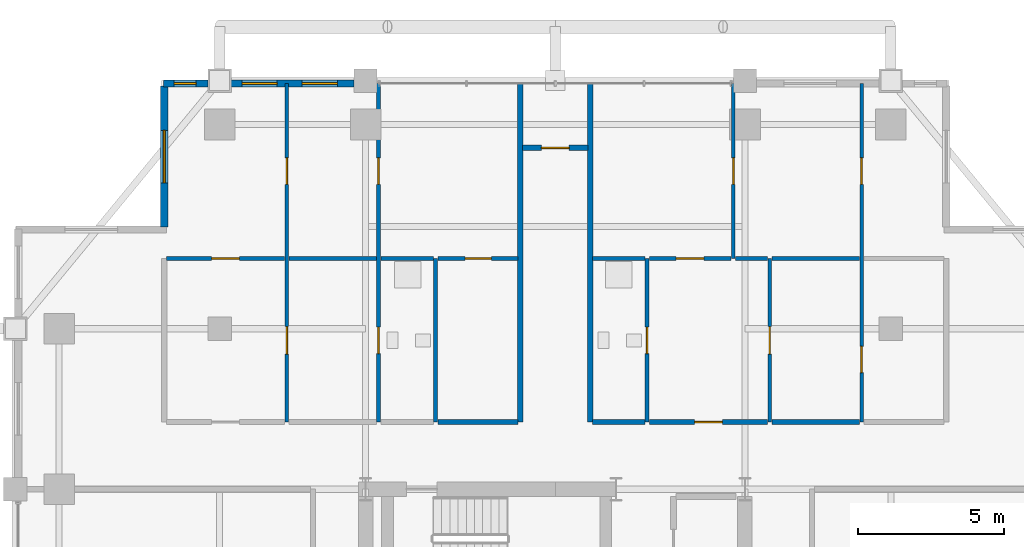
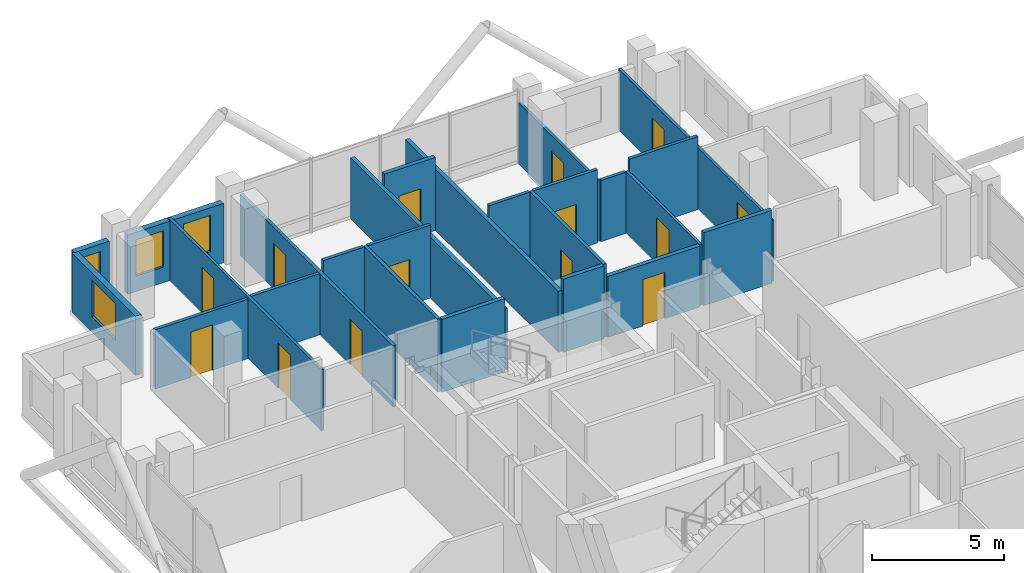
# One storey, part 23 of 26: 25 walls, 14 doors, 4 windows, 18 openings.
"""IFC4 building model written with IfcOpenShell, lengths in metres."""

from ifc_helpers import new_model, si_unit, direction, frame, frame_2d, origin, place, context, subcontext, project, spatial, rectangle, extrude, material, layer, layer_set, type_object, element, fill, save


model = new_model("IFC4")

# Units and contexts
model_context = context("Model", 3, precision=1e-05, world=origin(), true_north=direction((0.0, 1.0)))
body_context = subcontext(model_context, "Body", "Model", "MODEL_VIEW")
ifc_project = project(units=[si_unit("LENGTHUNIT", "METRE"), si_unit("AREAUNIT", "SQUARE_METRE"), si_unit("VOLUMEUNIT", "CUBIC_METRE"), si_unit("PLANEANGLEUNIT", "RADIAN"), si_unit("MASSUNIT", "GRAM", prefix="KILO")], contexts=[model_context])

# Site, building, storey
site_placement = place(None, origin())
site = spatial("IfcSite", under=ifc_project, at=site_placement, CompositionType="ELEMENT")
building_placement = place(site_placement, origin())
building = spatial("IfcBuilding", under=site, at=building_placement, Name="Barlavira Tower and Art Museum", CompositionType="ELEMENT")
storey_placement = place(building_placement, frame((0.0, 0.0, 198.0)))
storey = spatial("IfcBuildingStorey", under=building, at=storey_placement, Name="L51", CompositionType="ELEMENT", Elevation=198.0)

# Wall, openings, doors
ifc_material_1 = material(Name="Gypsum acoustic stud partition", Category="gypsum")
ifc_layer_1 = layer(ifc_material_1, 0.1201171875, Name="Gypsum acoustic stud partition")
ifc_layer_set_1 = layer_set([ifc_layer_1], Name="Gypsum acoustic stud partition")
wall_type_1 = type_object("IfcWallType", Name="Apartment Internal Acoustic Partition 120", PredefinedType="PARTITIONING", material=ifc_layer_set_1)
wall_1_placement = place(storey_placement, frame((-9.199951171875, 9.800048828125, 0.0), z_axis=(0.0, 0.0, 1.0), x_axis=(0.0, 1.0, 0.0)))
wall_1 = element("IfcWall", 1, at=wall_1_placement, inside=storey, type_object=wall_type_1, Name="L51 Partition Wall 4", PredefinedType="PARTITIONING", context=body_context, shape_type="SweptSolid", body=[
    extrude(rectangle(XDim=11.599853515625, YDim=0.1201171875, at=frame_2d((5.7998046875, 0.0))), origin(), (0.0, 0.0, 1.0), 2.825927734375),
])
opening_1_placement = place(wall_1_placement, frame((2.324951171875, 0.0, 0.0)))
opening_1 = element("IfcOpeningElement", 2, at=opening_1_placement, cuts=wall_1, Name="Opening D-02", PredefinedType="OPENING", context=body_context, shape_type="SweptSolid", body=[
    extrude(rectangle(XDim=0.949951171875, YDim=2.10009765625, at=frame_2d((0.47509765625, 1.050048828125))), frame((0.0, 0.070068359375, 0.0), z_axis=(0.0, -1.0, 0.0), x_axis=(1.0, 0.0, 0.0)), (0.0, 0.0, 1.0), 0.14013671875),
])
opening_2_placement = place(wall_1_placement, frame((8.14990234375, 0.0, 0.0)))
opening_2 = element("IfcOpeningElement", 3, at=opening_2_placement, cuts=wall_1, Name="Opening D-01", PredefinedType="OPENING", context=body_context, shape_type="SweptSolid", body=[
    extrude(rectangle(XDim=0.89990234375, YDim=2.10009765625, at=frame_2d((0.449951171875, 1.050048828125))), frame((0.0, 0.070068359375, 0.0), z_axis=(0.0, -1.0, 0.0), x_axis=(1.0, 0.0, 0.0)), (0.0, 0.0, 1.0), 0.14013671875),
])
ifc_material_2 = material(Name="Engineered coastal hardwood", Category="wood")
door_type_1 = type_object("IfcDoorType", Name="Internal Bedroom Timber Flush Door 900x2100", OperationType="NOTDEFINED", PredefinedType="DOOR", material=ifc_material_2)
door_1_placement = place(opening_2_placement, origin())
door_1 = element("IfcDoor", 4, at=door_1_placement, inside=storey, type_object=door_type_1, Name="Apartment NW1 Bedroom 1 Door", OperationType="SINGLE_SWING_LEFT", OverallHeight=2.10009765625, OverallWidth=0.89990234375, PredefinedType="DOOR", context=body_context, shape_type="SweptSolid", body=[
    extrude(rectangle(XDim=0.89990234375, YDim=2.10009765625, at=frame_2d((0.449951171875, 1.050048828125))), frame((0.0, 0.02490234375, 0.0), z_axis=(0.0, -1.0, 0.0), x_axis=(1.0, 0.0, 0.0)), (0.0, 0.0, 1.0), 0.050048828125),
])
fill(opening_2, door_1)
door_type_2 = type_object("IfcDoorType", Name="Living and Salon Glazed-Leaf Door 950x2100", OperationType="NOTDEFINED", PredefinedType="DOOR", material=ifc_material_2)
door_2_placement = place(opening_1_placement, origin())
door_2 = element("IfcDoor", 5, at=door_2_placement, inside=storey, type_object=door_type_2, Name="Apartment NW1 Kitchen Door", OperationType="SINGLE_SWING_LEFT", OverallHeight=2.10009765625, OverallWidth=0.949951171875, PredefinedType="DOOR", context=body_context, shape_type="SweptSolid", body=[
    extrude(rectangle(XDim=0.949951171875, YDim=2.10009765625, at=frame_2d((0.47509765625, 1.050048828125))), frame((0.0, 0.02490234375, 0.0), z_axis=(0.0, -1.0, 0.0), x_axis=(1.0, 0.0, 0.0)), (0.0, 0.0, 1.0), 0.050048828125),
])
fill(opening_1, door_2)

# Wall, opening, door
wall_2_placement = place(storey_placement, frame((6.10009765625, 15.39990234375, 0.0), z_axis=(0.0, 0.0, 1.0), x_axis=(0.0, 1.0, 0.0)))
wall_2 = element("IfcWall", 6, at=wall_2_placement, inside=storey, type_object=wall_type_1, Name="L51 Partition Wall 20", PredefinedType="PARTITIONING", context=body_context, shape_type="SweptSolid", body=[
    extrude(rectangle(XDim=6.0, YDim=0.1201171875, at=frame_2d((3.0, 0.0))), origin(), (0.0, 0.0, 1.0), 2.825927734375),
])
opening_3_placement = place(wall_2_placement, frame((2.550048828125, 0.0, 0.0)))
opening_3 = element("IfcOpeningElement", 7, at=opening_3_placement, cuts=wall_2, Name="Opening D-01", PredefinedType="OPENING", context=body_context, shape_type="SweptSolid", body=[
    extrude(rectangle(XDim=0.89990234375, YDim=2.10009765625, at=frame_2d((0.449951171875, 1.050048828125))), frame((0.0, 0.070068359375, 0.0), z_axis=(0.0, -1.0, 0.0), x_axis=(1.0, 0.0, 0.0)), (0.0, 0.0, 1.0), 0.14013671875),
])
door_3_placement = place(opening_3_placement, origin())
door_3 = element("IfcDoor", 8, at=door_3_placement, inside=storey, type_object=door_type_1, Name="Apartment NE1 Bedroom 1 Door", OperationType="SINGLE_SWING_RIGHT", OverallHeight=2.10009765625, OverallWidth=0.89990234375, PredefinedType="DOOR", context=body_context, shape_type="SweptSolid", body=[
    extrude(rectangle(XDim=0.89990234375, YDim=2.10009765625, at=frame_2d((0.449951171875, 1.050048828125))), frame((0.0, 0.02490234375, 0.0), z_axis=(0.0, -1.0, 0.0), x_axis=(1.0, 0.0, 0.0)), (0.0, 0.0, 1.0), 0.050048828125),
])
fill(opening_3, door_3)

wall_3_placement = place(storey_placement, frame((7.35009765625, 9.800048828125, 0.0), z_axis=(0.0, 0.0, 1.0), x_axis=(0.0, 1.0, 0.0)))
wall_3 = element("IfcWall", 9, at=wall_3_placement, inside=storey, type_object=wall_type_1, Name="L51 Partition Wall 22", PredefinedType="PARTITIONING", context=body_context, shape_type="SweptSolid", body=[
    extrude(rectangle(XDim=5.599853515625, YDim=0.1201171875, at=frame_2d((2.7998046875, 0.0))), origin(), (0.0, 0.0, 1.0), 2.825927734375),
])
opening_4_placement = place(wall_3_placement, frame((2.324951171875, 0.0, 0.0)))
opening_4 = element("IfcOpeningElement", 10, at=opening_4_placement, cuts=wall_3, Name="Opening D-02", PredefinedType="OPENING", context=body_context, shape_type="SweptSolid", body=[
    extrude(rectangle(XDim=0.949951171875, YDim=2.10009765625, at=frame_2d((0.47509765625, 1.050048828125))), frame((0.0, 0.070068359375, 0.0), z_axis=(0.0, -1.0, 0.0), x_axis=(1.0, 0.0, 0.0)), (0.0, 0.0, 1.0), 0.14013671875),
])
door_4_placement = place(opening_4_placement, origin())
door_4 = element("IfcDoor", 11, at=door_4_placement, inside=storey, type_object=door_type_2, Name="Apartment NE1 Kitchen Door", OperationType="SINGLE_SWING_LEFT", OverallHeight=2.10009765625, OverallWidth=0.949951171875, PredefinedType="DOOR", context=body_context, shape_type="SweptSolid", body=[
    extrude(rectangle(XDim=0.949951171875, YDim=2.10009765625, at=frame_2d((0.47509765625, 1.050048828125))), frame((0.0, 0.02490234375, 0.0), z_axis=(0.0, -1.0, 0.0), x_axis=(1.0, 0.0, 0.0)), (0.0, 0.0, 1.0), 0.050048828125),
])
fill(opening_4, door_4)

# Wall, openings, doors
wall_4_placement = place(storey_placement, frame((10.5, 9.800048828125, 0.0), z_axis=(0.0, 0.0, 1.0), x_axis=(0.0, 1.0, 0.0)))
wall_4 = element("IfcWall", 12, at=wall_4_placement, inside=storey, type_object=wall_type_1, Name="L51 Partition Wall 25", PredefinedType="PARTITIONING", context=body_context, shape_type="SweptSolid", body=[
    extrude(rectangle(XDim=11.599853515625, YDim=0.1201171875, at=frame_2d((5.7998046875, 0.0))), origin(), (0.0, 0.0, 1.0), 2.825927734375),
])
opening_5_placement = place(wall_4_placement, frame((1.694091796875, 0.0, 0.0)))
opening_5 = element("IfcOpeningElement", 13, at=opening_5_placement, cuts=wall_4, Name="Opening D-01", PredefinedType="OPENING", context=body_context, shape_type="SweptSolid", body=[
    extrude(rectangle(XDim=0.89990234375, YDim=2.10009765625, at=frame_2d((0.449951171875, 1.050048828125))), frame((0.0, 0.070068359375, 0.0), z_axis=(0.0, -1.0, 0.0), x_axis=(1.0, 0.0, 0.0)), (0.0, 0.0, 1.0), 0.14013671875),
])
opening_6_placement = place(wall_4_placement, frame((8.14990234375, 0.0, 0.0)))
opening_6 = element("IfcOpeningElement", 14, at=opening_6_placement, cuts=wall_4, Name="Opening D-01", PredefinedType="OPENING", context=body_context, shape_type="SweptSolid", body=[
    extrude(rectangle(XDim=0.89990234375, YDim=2.10009765625, at=frame_2d((0.449951171875, 1.050048828125))), frame((0.0, 0.070068359375, 0.0), z_axis=(0.0, -1.0, 0.0), x_axis=(1.0, 0.0, 0.0)), (0.0, 0.0, 1.0), 0.14013671875),
])
door_5_placement = place(opening_5_placement, origin())
door_5 = element("IfcDoor", 15, at=door_5_placement, inside=storey, type_object=door_type_1, Name="Apartment NE1 Walk-In Dressing Room Door", OperationType="SINGLE_SWING_RIGHT", OverallHeight=2.10009765625, OverallWidth=0.89990234375, PredefinedType="DOOR", context=body_context, shape_type="SweptSolid", body=[
    extrude(rectangle(XDim=0.89990234375, YDim=2.10009765625, at=frame_2d((0.449951171875, 1.050048828125))), frame((0.0, 0.02490234375, 0.0), z_axis=(0.0, -1.0, 0.0), x_axis=(1.0, 0.0, 0.0)), (0.0, 0.0, 1.0), 0.050048828125),
])
fill(opening_5, door_5)
door_6_placement = place(opening_6_placement, origin())
door_6 = element("IfcDoor", 16, at=door_6_placement, inside=storey, type_object=door_type_1, Name="Apartment NE1 Bedroom 2 Door", OperationType="SINGLE_SWING_LEFT", OverallHeight=2.10009765625, OverallWidth=0.89990234375, PredefinedType="DOOR", context=body_context, shape_type="SweptSolid", body=[
    extrude(rectangle(XDim=0.89990234375, YDim=2.10009765625, at=frame_2d((0.449951171875, 1.050048828125))), frame((0.0, 0.02490234375, 0.0), z_axis=(0.0, -1.0, 0.0), x_axis=(1.0, 0.0, 0.0)), (0.0, 0.0, 1.0), 0.050048828125),
])
fill(opening_6, door_6)

# Walls
ifc_layer_2 = layer(ifc_material_1, 0.179931640625, Name="Gypsum acoustic stud partition")
ifc_layer_set_2 = layer_set([ifc_layer_2], Name="Gypsum acoustic stud partition")
wall_type_2 = type_object("IfcWallType", Name="Inter-Tenancy Party Partition Wall 180", PredefinedType="PARTITIONING", material=ifc_layer_set_2)
for number, where, z_axis, x_axis, name in (
    (17, (-1.199951171875, 9.800048828125, 0.0), (0.0, 0.0, 1.0), (0.0, 1.0, 0.0), "L51 Partition Wall 13"),
    (18, (1.199951171875, 9.800048828125, 0.0), (0.0, 0.0, 1.0), (0.0, 1.0, 0.0), "L51 Partition Wall 15"),
):
    element("IfcWall", number, at=place(storey_placement, frame(where, z_axis=z_axis, x_axis=x_axis)), inside=storey, type_object=wall_type_2, Name=name, PredefinedType="PARTITIONING", context=body_context, shape_type="SweptSolid", body=[
        extrude(rectangle(XDim=11.599853515625, YDim=0.179931640625, at=frame_2d((5.7998046875, 0.0))), origin(), (0.0, 0.0, 1.0), 2.825927734375),
    ])
wall_5_placement = place(storey_placement, frame((-4.02001953125, 9.800048828125, 0.0), z_axis=(0.0, 0.0, 1.0), x_axis=(1.0, 0.0, 0.0)))
element("IfcWall", 19, at=wall_5_placement, inside=storey, type_object=wall_type_2, Name="L51 Partition Wall 61", PredefinedType="PARTITIONING", context=body_context, shape_type="SweptSolid", body=[
    extrude(rectangle(XDim=2.739990234375, YDim=0.179931640625, at=frame_2d((1.3701171875, 0.0))), origin(), (0.0, 0.0, 1.0), 3.3798828125),
])
wall_6_placement = place(storey_placement, frame((1.280029296875, 9.800048828125, 0.0), z_axis=(0.0, 0.0, 1.0), x_axis=(1.0, 0.0, 0.0)))
element("IfcWall", 20, at=wall_6_placement, inside=storey, type_object=wall_type_2, Name="L51 Partition Wall 62", PredefinedType="PARTITIONING", context=body_context, shape_type="SweptSolid", body=[
    extrude(rectangle(XDim=1.7900390625, YDim=0.179931640625, at=frame_2d((0.89501953125, 0.0))), origin(), (0.0, 0.0, 1.0), 3.3798828125),
])

# Wall, opening, door
wall_7_placement = place(storey_placement, frame((3.22998046875, 9.800048828125, 0.0), z_axis=(0.0, 0.0, 1.0), x_axis=(1.0, 0.0, 0.0)))
wall_7 = element("IfcWall", 21, at=wall_7_placement, inside=storey, type_object=wall_type_2, Name="L51 Partition Wall 63", PredefinedType="PARTITIONING", context=body_context, shape_type="SweptSolid", body=[
    extrude(rectangle(XDim=4.0400390625, YDim=0.179931640625, at=frame_2d((2.02001953125, 0.0))), origin(), (0.0, 0.0, 1.0), 2.825927734375),
])
opening_7_placement = place(wall_7_placement, frame((1.544921875, 0.0, 0.0)))
opening_7 = element("IfcOpeningElement", 22, at=opening_7_placement, cuts=wall_7, Name="Opening FD-60", PredefinedType="OPENING", context=body_context, shape_type="SweptSolid", body=[
    extrude(rectangle(XDim=0.949951171875, YDim=2.14990234375, at=frame_2d((0.47509765625, 1.074951171875))), frame((0.0, 0.10009765625, 0.0), z_axis=(0.0, -1.0, 0.0), x_axis=(1.0, 0.0, 0.0)), (0.0, 0.0, 1.0), 0.199951171875),
])
ifc_material_3 = material(Name="Brushed stainless steel", Category="steel")
door_type_3 = type_object("IfcDoorType", Name="Apartment Entrance and Riser Fire Door 950x2150 FD60S", OperationType="NOTDEFINED", PredefinedType="DOOR", material=ifc_material_3)
door_7_placement = place(opening_7_placement, origin())
door_7 = element("IfcDoor", 23, at=door_7_placement, inside=storey, type_object=door_type_3, Name="Apartment Entrance Hall NE1 Door", OperationType="SINGLE_SWING_RIGHT", OverallHeight=2.14990234375, OverallWidth=0.949951171875, PredefinedType="DOOR", context=body_context, shape_type="SweptSolid", body=[
    extrude(rectangle(XDim=0.949951171875, YDim=2.14990234375, at=frame_2d((0.47509765625, 1.074951171875))), frame((0.0, 0.02490234375, 0.0), z_axis=(0.0, -1.0, 0.0), x_axis=(1.0, 0.0, 0.0)), (0.0, 0.0, 1.0), 0.050048828125),
])
fill(opening_7, door_7)

# Wall
wall_8_placement = place(storey_placement, frame((7.429931640625, 9.800048828125, 0.0), z_axis=(0.0, 0.0, 1.0), x_axis=(1.0, 0.0, 0.0)))
element("IfcWall", 24, at=wall_8_placement, inside=storey, type_object=wall_type_2, Name="L51 Partition Wall 64", PredefinedType="PARTITIONING", context=body_context, shape_type="SweptSolid", body=[
    extrude(rectangle(XDim=2.989990234375, YDim=0.179931640625, at=frame_2d((1.4951171875, 0.0))), origin(), (0.0, 0.0, 1.0), 3.3798828125),
])

# Wall, opening, door
wall_9_placement = place(storey_placement, frame((-1.1201171875, 19.199951171875, 0.0), z_axis=(0.0, 0.0, 1.0), x_axis=(1.0, 0.0, 0.0)))
wall_9 = element("IfcWall", 25, at=wall_9_placement, inside=storey, type_object=wall_type_2, Name="L51 Partition Wall 75", PredefinedType="PARTITIONING", context=body_context, shape_type="SweptSolid", body=[
    extrude(rectangle(XDim=2.240234375, YDim=0.179931640625, at=frame_2d((1.1201171875, 0.0))), origin(), (0.0, 0.0, 1.0), 3.3798828125),
])
opening_8_placement = place(wall_9_placement, frame((0.64501953125, 0.0, 0.0)))
opening_8 = element("IfcOpeningElement", 26, at=opening_8_placement, cuts=wall_9, Name="Opening FD-60", PredefinedType="OPENING", context=body_context, shape_type="SweptSolid", body=[
    extrude(rectangle(XDim=0.949951171875, YDim=2.14990234375, at=frame_2d((0.47509765625, 1.074951171875))), frame((0.0, 0.10009765625, 0.0), z_axis=(0.0, -1.0, 0.0), x_axis=(1.0, 0.0, 0.0)), (0.0, 0.0, 1.0), 0.199951171875),
])
door_8_placement = place(opening_8_placement, origin())
door_8 = element("IfcDoor", 27, at=door_8_placement, inside=storey, type_object=door_type_3, Name="L51 North Ocean Alcove Door", OperationType="SINGLE_SWING_LEFT", OverallHeight=2.14990234375, OverallWidth=0.949951171875, PredefinedType="DOOR", context=body_context, shape_type="SweptSolid", body=[
    extrude(rectangle(XDim=0.949951171875, YDim=2.14990234375, at=frame_2d((0.47509765625, 1.074951171875))), frame((0.0, 0.02490234375, 0.0), z_axis=(0.0, -1.0, 0.0), x_axis=(1.0, 0.0, 0.0)), (0.0, 0.0, 1.0), 0.050048828125),
])
fill(opening_8, door_8)

# Wall, openings, doors
ifc_layer_3 = layer(ifc_material_1, 0.139892578125, Name="Gypsum acoustic stud partition")
ifc_layer_set_3 = layer_set([ifc_layer_3], Name="Gypsum acoustic stud partition")
wall_type_3 = type_object("IfcWallType", Name="Moisture-Resistant Bathroom Partition 140", PredefinedType="PARTITIONING", material=ifc_layer_set_3)
wall_10_placement = place(storey_placement, frame((-6.050048828125, 9.800048828125, 0.0), z_axis=(0.0, 0.0, 1.0), x_axis=(0.0, 1.0, 0.0)))
wall_10 = element("IfcWall", 28, at=wall_10_placement, inside=storey, type_object=wall_type_3, Name="L51 Partition Wall 8", PredefinedType="PARTITIONING", context=body_context, shape_type="SweptSolid", body=[
    extrude(rectangle(XDim=11.599853515625, YDim=0.139892578125, at=frame_2d((5.7998046875, 0.0))), origin(), (0.0, 0.0, 1.0), 2.825927734375),
])
opening_9_placement = place(wall_10_placement, frame((2.35009765625, 0.0, 0.0)))
opening_9 = element("IfcOpeningElement", 29, at=opening_9_placement, cuts=wall_10, Name="Opening D-WC", PredefinedType="OPENING", context=body_context, shape_type="SweptSolid", body=[
    extrude(rectangle(XDim=0.89990234375, YDim=2.10009765625, at=frame_2d((0.449951171875, 1.050048828125))), frame((0.0, 0.080078125, 0.0), z_axis=(0.0, -1.0, 0.0), x_axis=(1.0, 0.0, 0.0)), (0.0, 0.0, 1.0), 0.159912109375),
])
opening_10_placement = place(wall_10_placement, frame((8.14990234375, 0.0, 0.0)))
opening_10 = element("IfcOpeningElement", 30, at=opening_10_placement, cuts=wall_10, Name="Opening D-01", PredefinedType="OPENING", context=body_context, shape_type="SweptSolid", body=[
    extrude(rectangle(XDim=0.89990234375, YDim=2.10009765625, at=frame_2d((0.449951171875, 1.050048828125))), frame((0.0, 0.080078125, 0.0), z_axis=(0.0, -1.0, 0.0), x_axis=(1.0, 0.0, 0.0)), (0.0, 0.0, 1.0), 0.159912109375),
])
door_type_4 = type_object("IfcDoorType", Name="Accessible Bathroom Flush Door 900x2100", OperationType="NOTDEFINED", PredefinedType="DOOR", material=ifc_material_2)
door_9_placement = place(opening_9_placement, origin())
door_9 = element("IfcDoor", 31, at=door_9_placement, inside=storey, type_object=door_type_4, Name="Apartment NW1 Hall Bathroom Door", OperationType="SINGLE_SWING_RIGHT", OverallHeight=2.10009765625, OverallWidth=0.89990234375, PredefinedType="DOOR", context=body_context, shape_type="SweptSolid", body=[
    extrude(rectangle(XDim=0.89990234375, YDim=2.10009765625, at=frame_2d((0.449951171875, 1.050048828125))), frame((0.0, 0.02490234375, 0.0), z_axis=(0.0, -1.0, 0.0), x_axis=(1.0, 0.0, 0.0)), (0.0, 0.0, 1.0), 0.050048828125),
])
fill(opening_9, door_9)
door_10_placement = place(opening_10_placement, origin())
door_10 = element("IfcDoor", 32, at=door_10_placement, inside=storey, type_object=door_type_1, Name="Apartment NW1 Bedroom 2 Door", OperationType="SINGLE_SWING_RIGHT", OverallHeight=2.10009765625, OverallWidth=0.89990234375, PredefinedType="DOOR", context=body_context, shape_type="SweptSolid", body=[
    extrude(rectangle(XDim=0.89990234375, YDim=2.10009765625, at=frame_2d((0.449951171875, 1.050048828125))), frame((0.0, 0.02490234375, 0.0), z_axis=(0.0, -1.0, 0.0), x_axis=(1.0, 0.0, 0.0)), (0.0, 0.0, 1.0), 0.050048828125),
])
fill(opening_10, door_10)

# Wall
wall_11_placement = place(storey_placement, frame((-4.10009765625, 9.800048828125, 0.0), z_axis=(0.0, 0.0, 1.0), x_axis=(0.0, 1.0, 0.0)))
element("IfcWall", 33, at=wall_11_placement, inside=storey, type_object=wall_type_3, Name="L51 Partition Wall 11", PredefinedType="PARTITIONING", context=body_context, shape_type="SweptSolid", body=[
    extrude(rectangle(XDim=5.599853515625, YDim=0.139892578125, at=frame_2d((2.7998046875, 0.0))), origin(), (0.0, 0.0, 1.0), 3.3798828125),
])

# Wall, opening, door
wall_12_placement = place(storey_placement, frame((3.14990234375, 9.800048828125, 0.0), z_axis=(0.0, 0.0, 1.0), x_axis=(0.0, 1.0, 0.0)))
wall_12 = element("IfcWall", 34, at=wall_12_placement, inside=storey, type_object=wall_type_3, Name="L51 Partition Wall 17", PredefinedType="PARTITIONING", context=body_context, shape_type="SweptSolid", body=[
    extrude(rectangle(XDim=5.599853515625, YDim=0.139892578125, at=frame_2d((2.7998046875, 0.0))), origin(), (0.0, 0.0, 1.0), 3.3798828125),
])
opening_11_placement = place(wall_12_placement, frame((2.35009765625, 0.0, 0.0)))
opening_11 = element("IfcOpeningElement", 35, at=opening_11_placement, cuts=wall_12, Name="Opening D-WC", PredefinedType="OPENING", context=body_context, shape_type="SweptSolid", body=[
    extrude(rectangle(XDim=0.89990234375, YDim=2.10009765625, at=frame_2d((0.449951171875, 1.050048828125))), frame((0.0, 0.080078125, 0.0), z_axis=(0.0, -1.0, 0.0), x_axis=(1.0, 0.0, 0.0)), (0.0, 0.0, 1.0), 0.159912109375),
])
door_11_placement = place(opening_11_placement, origin())
door_11 = element("IfcDoor", 36, at=door_11_placement, inside=storey, type_object=door_type_4, Name="Apartment NE1 Hall Bathroom Door", OperationType="SINGLE_SWING_LEFT", OverallHeight=2.10009765625, OverallWidth=0.89990234375, PredefinedType="DOOR", context=body_context, shape_type="SweptSolid", body=[
    extrude(rectangle(XDim=0.89990234375, YDim=2.10009765625, at=frame_2d((0.449951171875, 1.050048828125))), frame((0.0, 0.02490234375, 0.0), z_axis=(0.0, -1.0, 0.0), x_axis=(1.0, 0.0, 0.0)), (0.0, 0.0, 1.0), 0.050048828125),
])
fill(opening_11, door_11)

wall_13_placement = place(storey_placement, frame((-13.320068359375, 15.39990234375, 0.0), z_axis=(0.0, 0.0, 1.0), x_axis=(1.0, 0.0, 0.0)))
wall_13 = element("IfcWall", 37, at=wall_13_placement, inside=storey, type_object=wall_type_3, Name="L51 Partition Wall 66", PredefinedType="PARTITIONING", context=body_context, shape_type="SweptSolid", body=[
    extrude(rectangle(XDim=4.0400390625, YDim=0.139892578125, at=frame_2d((2.02001953125, 0.0))), origin(), (0.0, 0.0, 1.0), 2.748046875),
])
opening_12_placement = place(wall_13_placement, frame((1.544921875, 0.0, 0.0)))
opening_12 = element("IfcOpeningElement", 38, at=opening_12_placement, cuts=wall_13, Name="Opening D-02", PredefinedType="OPENING", context=body_context, shape_type="SweptSolid", body=[
    extrude(rectangle(XDim=0.949951171875, YDim=2.10009765625, at=frame_2d((0.47509765625, 1.050048828125))), frame((0.0, 0.080078125, 0.0), z_axis=(0.0, -1.0, 0.0), x_axis=(1.0, 0.0, 0.0)), (0.0, 0.0, 1.0), 0.159912109375),
])
door_12_placement = place(opening_12_placement, origin())
door_12 = element("IfcDoor", 39, at=door_12_placement, inside=storey, type_object=door_type_2, Name="Apartment NW1 Living Lounge Door", OperationType="SINGLE_SWING_RIGHT", OverallHeight=2.10009765625, OverallWidth=0.949951171875, PredefinedType="DOOR", context=body_context, shape_type="SweptSolid", body=[
    extrude(rectangle(XDim=0.949951171875, YDim=2.10009765625, at=frame_2d((0.47509765625, 1.050048828125))), frame((0.0, 0.02490234375, 0.0), z_axis=(0.0, -1.0, 0.0), x_axis=(1.0, 0.0, 0.0)), (0.0, 0.0, 1.0), 0.050048828125),
])
fill(opening_12, door_12)

# Walls
wall_14_placement = place(storey_placement, frame((-9.1201171875, 15.39990234375, 0.0), z_axis=(0.0, 0.0, 1.0), x_axis=(1.0, 0.0, 0.0)))
element("IfcWall", 40, at=wall_14_placement, inside=storey, type_object=wall_type_3, Name="L51 Partition Wall 67", PredefinedType="PARTITIONING", context=body_context, shape_type="SweptSolid", body=[
    extrude(rectangle(XDim=2.990234375, YDim=0.139892578125, at=frame_2d((1.4951171875, 0.0))), origin(), (0.0, 0.0, 1.0), 2.825927734375),
])
wall_15_placement = place(storey_placement, frame((-5.969970703125, 15.39990234375, 0.0), z_axis=(0.0, 0.0, 1.0), x_axis=(1.0, 0.0, 0.0)))
element("IfcWall", 41, at=wall_15_placement, inside=storey, type_object=wall_type_3, Name="L51 Partition Wall 68", PredefinedType="PARTITIONING", context=body_context, shape_type="SweptSolid", body=[
    extrude(rectangle(XDim=1.7900390625, YDim=0.139892578125, at=frame_2d((0.89501953125, 0.0))), origin(), (0.0, 0.0, 1.0), 3.3798828125),
])

# Wall, opening, door
wall_16_placement = place(storey_placement, frame((-4.02001953125, 15.39990234375, 0.0), z_axis=(0.0, 0.0, 1.0), x_axis=(1.0, 0.0, 0.0)))
wall_16 = element("IfcWall", 42, at=wall_16_placement, inside=storey, type_object=wall_type_3, Name="L51 Partition Wall 69", PredefinedType="PARTITIONING", context=body_context, shape_type="SweptSolid", body=[
    extrude(rectangle(XDim=2.739990234375, YDim=0.139892578125, at=frame_2d((1.3701171875, 0.0))), origin(), (0.0, 0.0, 1.0), 3.3798828125),
])
opening_13_placement = place(wall_16_placement, frame((0.929931640625, 0.0, 0.0)))
opening_13 = element("IfcOpeningElement", 43, at=opening_13_placement, cuts=wall_16, Name="Opening D-01", PredefinedType="OPENING", context=body_context, shape_type="SweptSolid", body=[
    extrude(rectangle(XDim=0.89990234375, YDim=2.10009765625, at=frame_2d((0.449951171875, 1.050048828125))), frame((0.0, 0.080078125, 0.0), z_axis=(0.0, -1.0, 0.0), x_axis=(1.0, 0.0, 0.0)), (0.0, 0.0, 1.0), 0.159912109375),
])
door_13_placement = place(opening_13_placement, origin())
door_13 = element("IfcDoor", 44, at=door_13_placement, inside=storey, type_object=door_type_1, Name="Apartment NW1 Study Door", OperationType="SINGLE_SWING_LEFT", OverallHeight=2.10009765625, OverallWidth=0.89990234375, PredefinedType="DOOR", context=body_context, shape_type="SweptSolid", body=[
    extrude(rectangle(XDim=0.89990234375, YDim=2.10009765625, at=frame_2d((0.449951171875, 1.050048828125))), frame((0.0, 0.02490234375, 0.0), z_axis=(0.0, -1.0, 0.0), x_axis=(1.0, 0.0, 0.0)), (0.0, 0.0, 1.0), 0.050048828125),
])
fill(opening_13, door_13)

# Wall
wall_17_placement = place(storey_placement, frame((1.280029296875, 15.39990234375, 0.0), z_axis=(0.0, 0.0, 1.0), x_axis=(1.0, 0.0, 0.0)))
element("IfcWall", 45, at=wall_17_placement, inside=storey, type_object=wall_type_3, Name="L51 Partition Wall 70", PredefinedType="PARTITIONING", context=body_context, shape_type="SweptSolid", body=[
    extrude(rectangle(XDim=1.7900390625, YDim=0.139892578125, at=frame_2d((0.89501953125, 0.0))), origin(), (0.0, 0.0, 1.0), 3.3798828125),
])

# Wall, opening, door
wall_18_placement = place(storey_placement, frame((3.22998046875, 15.39990234375, 0.0), z_axis=(0.0, 0.0, 1.0), x_axis=(1.0, 0.0, 0.0)))
wall_18 = element("IfcWall", 46, at=wall_18_placement, inside=storey, type_object=wall_type_3, Name="L51 Partition Wall 71", PredefinedType="PARTITIONING", context=body_context, shape_type="SweptSolid", body=[
    extrude(rectangle(XDim=2.7900390625, YDim=0.139892578125, at=frame_2d((1.39501953125, 0.0))), origin(), (0.0, 0.0, 1.0), 3.3798828125),
])
opening_14_placement = place(wall_18_placement, frame((0.9150390625, 0.0, 0.0)))
opening_14 = element("IfcOpeningElement", 47, at=opening_14_placement, cuts=wall_18, Name="Opening D-02", PredefinedType="OPENING", context=body_context, shape_type="SweptSolid", body=[
    extrude(rectangle(XDim=0.949951171875, YDim=2.10009765625, at=frame_2d((0.47509765625, 1.050048828125))), frame((0.0, 0.080078125, 0.0), z_axis=(0.0, -1.0, 0.0), x_axis=(1.0, 0.0, 0.0)), (0.0, 0.0, 1.0), 0.159912109375),
])
door_14_placement = place(opening_14_placement, origin())
door_14 = element("IfcDoor", 48, at=door_14_placement, inside=storey, type_object=door_type_2, Name="Apartment NE1 Living Lounge Door", OperationType="SINGLE_SWING_LEFT", OverallHeight=2.10009765625, OverallWidth=0.949951171875, PredefinedType="DOOR", context=body_context, shape_type="SweptSolid", body=[
    extrude(rectangle(XDim=0.949951171875, YDim=2.10009765625, at=frame_2d((0.47509765625, 1.050048828125))), frame((0.0, 0.02490234375, 0.0), z_axis=(0.0, -1.0, 0.0), x_axis=(1.0, 0.0, 0.0)), (0.0, 0.0, 1.0), 0.050048828125),
])
fill(opening_14, door_14)

# Walls
wall_19_placement = place(storey_placement, frame((6.179931640625, 15.39990234375, 0.0), z_axis=(0.0, 0.0, 1.0), x_axis=(1.0, 0.0, 0.0)))
element("IfcWall", 49, at=wall_19_placement, inside=storey, type_object=wall_type_3, Name="L51 Partition Wall 72", PredefinedType="PARTITIONING", context=body_context, shape_type="SweptSolid", body=[
    extrude(rectangle(XDim=1.090087890625, YDim=0.139892578125, at=frame_2d((0.544921875, 0.0))), origin(), (0.0, 0.0, 1.0), 2.825927734375),
])
wall_20_placement = place(storey_placement, frame((7.429931640625, 15.39990234375, 0.0), z_axis=(0.0, 0.0, 1.0), x_axis=(1.0, 0.0, 0.0)))
element("IfcWall", 50, at=wall_20_placement, inside=storey, type_object=wall_type_3, Name="L51 Partition Wall 73", PredefinedType="PARTITIONING", context=body_context, shape_type="SweptSolid", body=[
    extrude(rectangle(XDim=2.989990234375, YDim=0.139892578125, at=frame_2d((1.4951171875, 0.0))), origin(), (0.0, 0.0, 1.0), 3.3798828125),
])

# Wall, openings, windows
ifc_material_4 = material(Name="Precast concrete C40", Category="concrete")
ifc_layer_4 = layer(ifc_material_4, 0.25, Name="Precast concrete C40")
ifc_layer_set_4 = layer_set([ifc_layer_4], Name="Precast concrete C40")
wall_type_4 = type_object("IfcWallType", Name="Notched Corner Spandrel Wall 250 Precast Concrete C40", PredefinedType="SOLIDWALL", material=ifc_layer_set_4)
wall_21_placement = place(storey_placement, frame((-6.89501953125, 21.39990234375, 0.0), z_axis=(0.0, 0.0, 1.0), x_axis=(-1.0, 0.0, 0.0)))
wall_21 = element("IfcWall", 51, at=wall_21_placement, inside=storey, type_object=wall_type_4, Name="L51 Coastal Facade Pier Wall CW3-L51-N-4", PredefinedType="SOLIDWALL", context=body_context, shape_type="SweptSolid", body=[
    extrude(rectangle(XDim=4.2099609375, YDim=0.25, at=frame_2d((2.10498046875, 0.0))), origin(), (0.0, 0.0, 1.0), 2.748046875),
])
opening_15_placement = place(wall_21_placement, frame((0.574951171875, 0.0, 0.719970703125)))
opening_15 = element("IfcOpeningElement", 52, at=opening_15_placement, cuts=wall_21, Name="Opening WN-05", PredefinedType="OPENING", context=body_context, shape_type="SweptSolid", body=[
    extrude(rectangle(XDim=1.199951171875, YDim=1.679931640625, at=frame_2d((0.60009765625, 0.83984375))), frame((0.0, 0.135009765625, 0.0), z_axis=(0.0, -1.0, 0.0), x_axis=(1.0, 0.0, 0.0)), (0.0, 0.0, 1.0), 0.27001953125),
])
opening_16_placement = place(wall_21_placement, frame((2.635009765625, 0.0, 0.719970703125)))
opening_16 = element("IfcOpeningElement", 53, at=opening_16_placement, cuts=wall_21, Name="Opening WN-05", PredefinedType="OPENING", context=body_context, shape_type="SweptSolid", body=[
    extrude(rectangle(XDim=1.199951171875, YDim=1.679931640625, at=frame_2d((0.60009765625, 0.83984375))), frame((0.0, 0.135009765625, 0.0), z_axis=(0.0, -1.0, 0.0), x_axis=(1.0, 0.0, 0.0)), (0.0, 0.0, 1.0), 0.27001953125),
])
ifc_material_5 = material(Name="Low-iron coastal laminated glass", Category="glass")
window_type_1 = type_object("IfcWindowType", Name="Recessed Flank Pier Punch Window 1200x1680", PartitioningType="SINGLE_PANEL", PredefinedType="WINDOW", material=ifc_material_5)
window_1_placement = place(opening_15_placement, origin())
window_1 = element("IfcWindow", 54, at=window_1_placement, inside=storey, type_object=window_type_1, Name="L51 Punched Facade Window EWP-CW3-L51-N-4-1", OverallHeight=1.679931640625, OverallWidth=1.199951171875, PartitioningType="SINGLE_PANEL", PredefinedType="WINDOW", context=body_context, shape_type="SweptSolid", body=[
    extrude(rectangle(XDim=1.199951171875, YDim=1.679931640625, at=frame_2d((0.60009765625, 0.83984375))), frame((0.0, 0.030029296875, 0.0), z_axis=(0.0, -1.0, 0.0), x_axis=(1.0, 0.0, 0.0)), (0.0, 0.0, 1.0), 0.06005859375),
])
fill(opening_15, window_1)
window_2_placement = place(opening_16_placement, origin())
window_2 = element("IfcWindow", 55, at=window_2_placement, inside=storey, type_object=window_type_1, Name="L51 Punched Facade Window EWP-CW3-L51-N-4-2", OverallHeight=1.679931640625, OverallWidth=1.199951171875, PartitioningType="SINGLE_PANEL", PredefinedType="WINDOW", context=body_context, shape_type="SweptSolid", body=[
    extrude(rectangle(XDim=1.199951171875, YDim=1.679931640625, at=frame_2d((0.60009765625, 0.83984375))), frame((0.0, 0.030029296875, 0.0), z_axis=(0.0, -1.0, 0.0), x_axis=(1.0, 0.0, 0.0)), (0.0, 0.0, 1.0), 0.06005859375),
])
fill(opening_16, window_2)

# Wall, opening, window
wall_22_placement = place(storey_placement, frame((-11.89501953125, 21.39990234375, 0.0), z_axis=(0.0, 0.0, 1.0), x_axis=(-1.0, 0.0, 0.0)))
wall_22 = element("IfcWall", 56, at=wall_22_placement, inside=storey, type_object=wall_type_4, Name="L51 Coastal Facade Pier Wall CW3-L51-N-5", PredefinedType="SOLIDWALL", context=body_context, shape_type="SweptSolid", body=[
    extrude(rectangle(XDim=1.530029296875, YDim=0.25, at=frame_2d((0.76513671875, 0.0))), origin(), (0.0, 0.0, 1.0), 2.748046875),
])
opening_17_placement = place(wall_22_placement, frame((0.407958984375, 0.0, 0.719970703125)))
opening_17 = element("IfcOpeningElement", 57, at=opening_17_placement, cuts=wall_22, Name="Opening WN-06", PredefinedType="OPENING", context=body_context, shape_type="SweptSolid", body=[
    extrude(rectangle(XDim=0.760009765625, YDim=1.679931640625, at=frame_2d((0.3798828125, 0.83984375))), frame((0.0, 0.135009765625, 0.0), z_axis=(0.0, -1.0, 0.0), x_axis=(1.0, 0.0, 0.0)), (0.0, 0.0, 1.0), 0.27001953125),
])
window_type_2 = type_object("IfcWindowType", Name="Recessed Narrow Pier Window 760x1680", PartitioningType="SINGLE_PANEL", PredefinedType="WINDOW", material=ifc_material_5)
window_3_placement = place(opening_17_placement, origin())
window_3 = element("IfcWindow", 58, at=window_3_placement, inside=storey, type_object=window_type_2, Name="L51 Punched Facade Window EWP-CW3-L51-N-5-1", OverallHeight=1.679931640625, OverallWidth=0.760009765625, PartitioningType="SINGLE_PANEL", PredefinedType="WINDOW", context=body_context, shape_type="SweptSolid", body=[
    extrude(rectangle(XDim=0.760009765625, YDim=1.679931640625, at=frame_2d((0.3798828125, 0.83984375))), frame((0.0, 0.030029296875, 0.0), z_axis=(0.0, -1.0, 0.0), x_axis=(1.0, 0.0, 0.0)), (0.0, 0.0, 1.0), 0.06005859375),
])
fill(opening_17, window_3)

wall_23_placement = place(storey_placement, frame((-13.39990234375, 21.320068359375, 0.0), z_axis=(0.0, 0.0, 1.0), x_axis=(0.0, -1.0, 0.0)))
wall_23 = element("IfcWall", 59, at=wall_23_placement, inside=storey, type_object=wall_type_4, Name="L51 Notch Corner Wall NW1", PredefinedType="SOLIDWALL", context=body_context, shape_type="SweptSolid", body=[
    extrude(rectangle(XDim=4.840087890625, YDim=0.25, at=frame_2d((2.419921875, 0.0))), origin(), (0.0, 0.0, 1.0), 2.748046875),
])
opening_18_placement = place(wall_23_placement, frame((1.52001953125, 0.0, 0.719970703125)))
opening_18 = element("IfcOpeningElement", 60, at=opening_18_placement, cuts=wall_23, Name="Opening WN-01", PredefinedType="OPENING", context=body_context, shape_type="SweptSolid", body=[
    extrude(rectangle(XDim=1.800048828125, YDim=1.679931640625, at=frame_2d((0.89990234375, 0.83984375))), frame((0.0, 0.135009765625, 0.0), z_axis=(0.0, -1.0, 0.0), x_axis=(1.0, 0.0, 0.0)), (0.0, 0.0, 1.0), 0.27001953125),
])
window_type_3 = type_object("IfcWindowType", Name="Recessed Notch Corner Punch Window 1800x1680", PartitioningType="SINGLE_PANEL", PredefinedType="WINDOW", material=ifc_material_5)
window_4_placement = place(opening_18_placement, origin())
window_4 = element("IfcWindow", 61, at=window_4_placement, inside=storey, type_object=window_type_3, Name="L51 Punched Facade Window EW-NTC-L51-NW1-1", OverallHeight=1.679931640625, OverallWidth=1.800048828125, PartitioningType="SINGLE_PANEL", PredefinedType="WINDOW", context=body_context, shape_type="SweptSolid", body=[
    extrude(rectangle(XDim=1.800048828125, YDim=1.679931640625, at=frame_2d((0.89990234375, 0.83984375))), frame((0.0, 0.030029296875, 0.0), z_axis=(0.0, -1.0, 0.0), x_axis=(1.0, 0.0, 0.0)), (0.0, 0.0, 1.0), 0.06005859375),
])
fill(opening_18, window_4)

save(model, "model.ifc")
